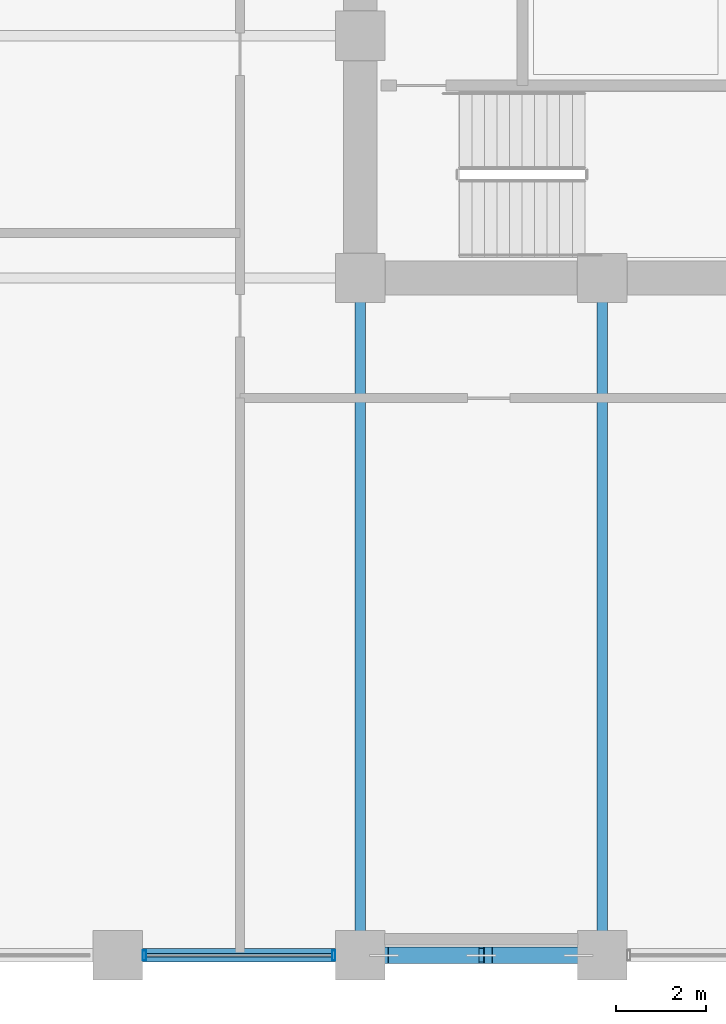
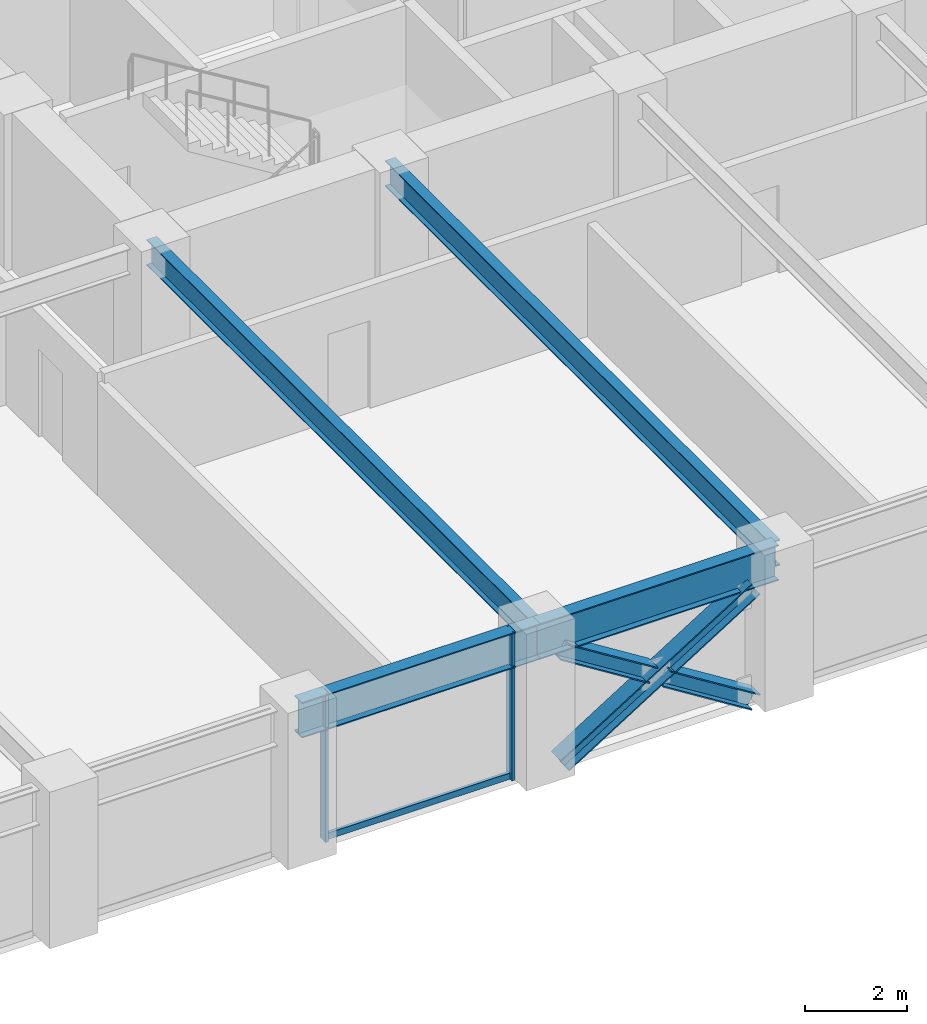
# One storey, part 4 of 29: 6 members, 4 beams, 1 element without a shape of its own.
"""IFC4 building model written with IfcOpenShell, lengths in metres."""

from ifc_helpers import new_model, si_unit, direction, frame, origin, origin_2d, place, context, subcontext, project, spatial, hollow_rectangle, i_section, extrude, material, layer, layer_set, material_profile, profile_set, type_object, element, aggregate, save


model = new_model("IFC4")

# Units and contexts
model_context = context("Model", 3, precision=1e-05, world=origin(), true_north=direction((0.0, 1.0)))
body_context = subcontext(model_context, "Body", "Model", "MODEL_VIEW")
ifc_project = project(units=[si_unit("LENGTHUNIT", "METRE"), si_unit("AREAUNIT", "SQUARE_METRE"), si_unit("VOLUMEUNIT", "CUBIC_METRE"), si_unit("PLANEANGLEUNIT", "RADIAN"), si_unit("MASSUNIT", "GRAM", prefix="KILO")], contexts=[model_context])

# Site, building, storey
site_placement = place(None, origin())
site = spatial("IfcSite", under=ifc_project, at=site_placement, CompositionType="ELEMENT")
building_placement = place(site_placement, origin())
building = spatial("IfcBuilding", under=site, at=building_placement, Name="Surkhivell Harbour Commons", CompositionType="ELEMENT")
storey_placement = place(building_placement, frame((0.0, 0.0, 87.0)))
storey = spatial("IfcBuildingStorey", under=building, at=storey_placement, Name="L22", CompositionType="ELEMENT", Elevation=87.0)

# Beams
ifc_material_1 = material(Name="Steel S355", Category="steel")
ifc_material_profile_1 = material_profile(ifc_material_1, i_section(OverallWidth=0.22998046875, OverallDepth=0.616943359375, WebThickness=0.01318359375, FlangeThickness=0.022216796875, at=origin_2d()), Name="UB610x229x140")
ifc_profile_set_1 = profile_set([ifc_material_profile_1], Name="Steel S355")
beam_type_1 = type_object("IfcBeamType", Name="BM-GRD-610B", PredefinedType="BEAM", material=ifc_profile_set_1)
for number, where, z_axis, x_axis, name in (
    (1, (-10.800048828125, -25.89990234375, 3.261474609375), (0.0, 1.0, 0.0), (-1.0, 0.0, 0.0), "L22 Floor Girder (-10.8,-25.9)"),
    (2, (-5.39990234375, -25.89990234375, 3.261474609375), (0.0, 1.0, 0.0), (-1.0, 0.0, 0.0), "L22 Floor Girder (-5.4,-25.9)"),
):
    element("IfcBeam", number, at=place(storey_placement, frame(where, z_axis=z_axis, x_axis=x_axis)), inside=storey, type_object=beam_type_1, Name=name, PredefinedType="BEAM", context=body_context, shape_type="SweptSolid", body=[
        extrude(i_section(OverallWidth=0.22998046875, OverallDepth=0.616943359375, WebThickness=0.01318359375, FlangeThickness=0.022216796875, at=origin_2d()), origin(), (0.0, 0.0, 1.0), 15.099853515625),
    ])
ifc_material_2 = material(Name="Steel S460", Category="steel")
ifc_material_profile_2 = material_profile(ifc_material_2, i_section(OverallWidth=0.2939453125, OverallDepth=0.85107421875, WebThickness=0.01611328125, FlangeThickness=0.02685546875, at=origin_2d()), Name="UB838x292x226")
ifc_profile_set_2 = profile_set([ifc_material_profile_2], Name="Steel S460")
beam_type_2 = type_object("IfcBeamType", Name="BM-SPN-838", PredefinedType="SPANDREL", material=ifc_profile_set_2)
beam_1_placement = place(storey_placement, frame((-16.199951171875, -25.89990234375, 3.14453125), z_axis=(1.0, 0.0, 0.0), x_axis=(0.0, 1.0, 0.0)))
element("IfcBeam", 3, at=beam_1_placement, inside=storey, type_object=beam_type_2, Name="L22 Tube Spandrel (-16.2,-25.9)", PredefinedType="SPANDREL", context=body_context, shape_type="SweptSolid", body=[
    extrude(i_section(OverallWidth=0.2939453125, OverallDepth=0.85107421875, WebThickness=0.01611328125, FlangeThickness=0.02685546875, at=origin_2d()), origin(), (0.0, 0.0, 1.0), 5.39990234375),
])
beam_2_placement = place(storey_placement, frame((-10.800048828125, -25.89990234375, 3.14453125), z_axis=(1.0, 0.0, 0.0), x_axis=(0.0, 1.0, 0.0)))
element("IfcBeam", 4, at=beam_2_placement, inside=storey, type_object=beam_type_2, Name="L22 Tube Spandrel (-10.8,-25.9)", PredefinedType="SPANDREL", context=body_context, shape_type="SweptSolid", body=[
    extrude(i_section(OverallWidth=0.2939453125, OverallDepth=0.85107421875, WebThickness=0.01611328125, FlangeThickness=0.02685546875, at=origin_2d()), origin(), (0.0, 0.0, 1.0), 5.400146484375),
])

# Curtain wall, members
ifc_material_3 = material(Name="Anodised pale-metal aluminium and insulated glazing", Category="aluminium")
ifc_layer = layer(ifc_material_3, 0.205078125)
ifc_layer_set = layer_set([ifc_layer], Name="Anodised pale-metal aluminium and insulated glazing")
curtain_wall_type = type_object("IfcCurtainWallType", Name="CW-SYS-Z2", PredefinedType="NOTDEFINED", material=ifc_layer_set)
curtain_wall_placement = place(storey_placement, origin())
curtain_wall = element("IfcCurtainWall", 5, at=curtain_wall_placement, inside=storey, type_object=curtain_wall_type, Name="L22 Curtain Wall CW-L22-E00S1", PredefinedType="NOTDEFINED")
ifc_material_4 = material(Name="Anodised pale-metal aluminium alloy 6063-T6", Category="aluminium")
ifc_material_profile_3 = material_profile(ifc_material_4, hollow_rectangle(XDim=0.074951171875, YDim=0.219970703125, WallThickness=0.00390625, at=origin_2d()), Name="ALU-MULL-75x220")
ifc_profile_set_3 = profile_set([ifc_material_profile_3], Name="Anodised pale-metal aluminium alloy 6063-T6")
member_type_1 = type_object("IfcMemberType", Name="CWM-220", PredefinedType="MULLION", material=ifc_profile_set_3)
member_1_placement = place(storey_placement, frame((-15.610595703125, -25.89990234375, 0.0), z_axis=(0.0, 0.0, 1.0), x_axis=(1.0, 0.0, 0.0)))
member_1 = element("IfcMember", 6, at=member_1_placement, type_object=member_type_1, Name="CW-Z2 mullion 3", PredefinedType="MULLION", context=body_context, shape_type="SweptSolid", body=[
    extrude(hollow_rectangle(XDim=0.074951171875, YDim=0.219970703125, WallThickness=0.00390625, at=origin_2d()), origin(), (0.0, 0.0, 1.0), 3.570068359375),
])
member_2_placement = place(storey_placement, frame((-11.389404296875, -25.89990234375, 0.0), z_axis=(0.0, 0.0, 1.0), x_axis=(1.0, 0.0, 0.0)))
member_2 = element("IfcMember", 7, at=member_2_placement, type_object=member_type_1, Name="CW-Z2 mullion 4", PredefinedType="MULLION", context=body_context, shape_type="SweptSolid", body=[
    extrude(hollow_rectangle(XDim=0.074951171875, YDim=0.219970703125, WallThickness=0.00390625, at=origin_2d()), origin(), (0.0, 0.0, 1.0), 3.570068359375),
])
ifc_material_profile_4 = material_profile(ifc_material_4, hollow_rectangle(XDim=0.074951171875, YDim=0.14990234375, WallThickness=0.00341796875, at=origin_2d()), Name="ALU-TRAN-75x150")
ifc_profile_set_4 = profile_set([ifc_material_profile_4], Name="Anodised pale-metal aluminium alloy 6063-T6")
member_type_2 = type_object("IfcMemberType", Name="CWT-150", PredefinedType="USERDEFINED", material=ifc_profile_set_4)
member_3_placement = place(storey_placement, frame((-15.572998046875, -25.89990234375, 0.074951171875), z_axis=(1.0, 0.0, 0.0), x_axis=(0.0, 1.0, 0.0)))
member_3 = element("IfcMember", 8, at=member_3_placement, type_object=member_type_2, Name="CW-Z2 transom 3.1", ObjectType="TRANSOM", PredefinedType="USERDEFINED", context=body_context, shape_type="SweptSolid", body=[
    extrude(hollow_rectangle(XDim=0.074951171875, YDim=0.14990234375, WallThickness=0.00341796875, at=origin_2d()), origin(), (0.0, 0.0, 1.0), 4.14599609375),
])
aggregate(curtain_wall, [member_1, member_2, member_3])

# Members
ifc_material_profile_5 = material_profile(ifc_material_2, i_section(OverallWidth=0.375, OverallDepth=0.375, WebThickness=0.0166015625, FlangeThickness=0.027099609375, at=origin_2d()), Name="UC356x368x202")
ifc_profile_set_5 = profile_set([ifc_material_profile_5], Name="Steel S460")
member_type_3 = type_object("IfcMemberType", Name="MEM-BRC-UC356", PredefinedType="BRACE", material=ifc_profile_set_5)
member_4_placement = place(storey_placement, frame((-10.264892578125, -25.89990234375, 0.008056640625), z_axis=(0.847232535652, 0.0, 0.53122220448), x_axis=(0.0, 1.0, 0.0)))
element("IfcMember", 9, at=member_4_placement, inside=storey, type_object=member_type_3, Name="L22 Perimeter Mega-Brace MB- 07", PredefinedType="BRACE", context=body_context, shape_type="SweptSolid", body=[
    extrude(i_section(OverallWidth=0.375, OverallDepth=0.375, WebThickness=0.0166015625, FlangeThickness=0.027099609375, at=origin_2d()), origin(), (0.0, 0.0, 1.0), 5.110595703125),
])
member_5_placement = place(storey_placement, frame((-5.93505859375, -25.89990234375, 0.008056640625), z_axis=(-0.847206308526, 0.0, 0.53126403115), x_axis=(0.0, -1.0, 0.0)))
element("IfcMember", 10, at=member_5_placement, inside=storey, type_object=member_type_3, Name="L22 Perimeter Mega-Brace MB- 08", PredefinedType="BRACE", context=body_context, shape_type="SweptSolid", body=[
    extrude(i_section(OverallWidth=0.375, OverallDepth=0.375, WebThickness=0.0166015625, FlangeThickness=0.027099609375, at=origin_2d()), origin(), (0.0, 0.0, 1.0), 2.37548828125),
])
member_6_placement = place(storey_placement, frame((-8.25244140625, -25.89990234375, 1.461181640625), z_axis=(-0.84725256761, 0.0, 0.53119025469), x_axis=(0.0, -1.0, 0.0)))
element("IfcMember", 11, at=member_6_placement, inside=storey, type_object=member_type_3, Name="L22 Perimeter Mega-Brace MB- 09", PredefinedType="BRACE", context=body_context, shape_type="SweptSolid", body=[
    extrude(i_section(OverallWidth=0.375, OverallDepth=0.375, WebThickness=0.0166015625, FlangeThickness=0.027099609375, at=origin_2d()), origin(), (0.0, 0.0, 1.0), 2.375244140625),
])

save(model, "model.ifc")
